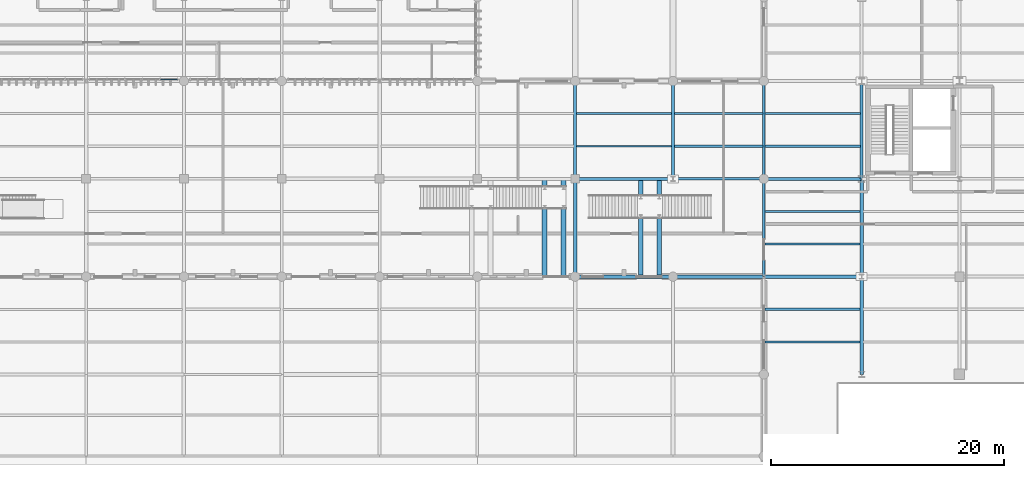
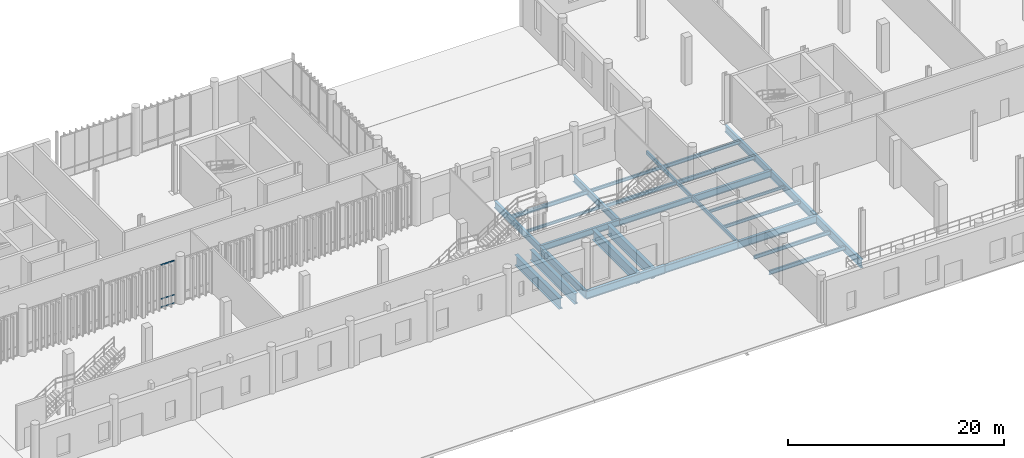
# One storey, part 43 of 112: 28 beams, 3 members, 1 element without a shape of its own.
"""IFC4 building model written with IfcOpenShell, lengths in metres."""

from ifc_helpers import new_model, si_unit, direction, frame, origin_with_axes, origin_2d_with_axis, place, context, subcontext, project, spatial, hollow_rectangle, i_section, extrude, material, material_profile, profile_set, type_object, element, aggregate, save


model = new_model("IFC4")

# Units and contexts
model_context = context("Model", 3, precision=1e-05, world=origin_with_axes(), true_north=direction((0.0, 1.0)))
body_context = subcontext(model_context, "Body", "Model", "MODEL_VIEW")
ifc_project = project(units=[si_unit("LENGTHUNIT", "METRE"), si_unit("AREAUNIT", "SQUARE_METRE"), si_unit("VOLUMEUNIT", "CUBIC_METRE"), si_unit("PLANEANGLEUNIT", "RADIAN"), si_unit("MASSUNIT", "GRAM", prefix="KILO"), si_unit("THERMODYNAMICTEMPERATUREUNIT", "KELVIN")], contexts=[model_context])

# Site, building, storey
site_placement = place(None, origin_with_axes())
site = spatial("IfcSite", under=ifc_project, at=site_placement, CompositionType="ELEMENT")
building_placement = place(site_placement, origin_with_axes())
building = spatial("IfcBuilding", under=site, at=building_placement, Name="Montbau Bow Law Courts", CompositionType="ELEMENT")
storey_placement = place(building_placement, origin_with_axes())
storey = spatial("IfcBuildingStorey", under=building, at=storey_placement, Name="L00", CompositionType="ELEMENT", Elevation=0.0)

# Beams
ifc_material_1 = material(Name="Steel CSA G40.21 Grade 350W (350 MPa)", Category="steel")
ifc_material_profile_1 = material_profile(ifc_material_1, i_section(OverallWidth=0.306, OverallDepth=0.919, WebThickness=0.0173, FlangeThickness=0.0279, at=origin_2d_with_axis()), Name="W920X253", Category="Main", Priority=0)
ifc_profile_set_1 = profile_set([ifc_material_profile_1], Name="Steel CSA G40.21 Grade 350W (350 MPa)")
beam_type_1 = type_object("IfcBeamType", Name="B-FLR-01", PredefinedType="BEAM", material=ifc_profile_set_1)
for number, where, z_axis, x_axis, name in (
    (1, (105.6, 22.2, -0.75), (1.0, 0.0, 0.0), (0.0, 1.0, 0.0), "BM-L00-S0167:bm2_0170"),
    (2, (130.2, 13.8, -0.8), (0.0, 1.0, 0.0), (-1.0, 0.0, 0.0), "BM-L00-S0366:bm2_0369"),
):
    element("IfcBeam", number, at=place(None, frame(where, z_axis=z_axis, x_axis=x_axis)), inside=storey, type_object=beam_type_1, Name=name, PredefinedType="BEAM", context=body_context, shape_type="SweptSolid", body=[
        extrude(i_section(OverallWidth=0.306, OverallDepth=0.919, WebThickness=0.0173, FlangeThickness=0.0279, at=origin_2d_with_axis()), origin_with_axes(), (0.0, 0.0, 1.0), 8.4),
    ])
ifc_material_profile_2 = material_profile(ifc_material_1, i_section(OverallWidth=0.293, OverallDepth=0.846, WebThickness=0.0154, FlangeThickness=0.0244, at=origin_2d_with_axis()), Name="W840X210", Category="Main", Priority=0)
ifc_profile_set_2 = profile_set([ifc_material_profile_2], Name="Steel CSA G40.21 Grade 350W (350 MPa)")
beam_type_2 = type_object("IfcBeamType", Name="B-FLR-02", PredefinedType="BEAM", material=ifc_profile_set_2)
beam_1_placement = place(None, frame((114.0, 22.2, -0.763), z_axis=(1.0, 0.0, 0.0), x_axis=(0.0, 1.0, 0.0)))
element("IfcBeam", 3, at=beam_1_placement, inside=storey, type_object=beam_type_2, Name="BM-L00-S0168:bm2_0171", PredefinedType="BEAM", context=body_context, shape_type="SweptSolid", body=[
    extrude(i_section(OverallWidth=0.293, OverallDepth=0.846, WebThickness=0.0154, FlangeThickness=0.0244, at=origin_2d_with_axis()), origin_with_axes(), (0.0, 0.0, 1.0), 7.8),
])
for number, where, z_axis, x_axis, name in (
    (4, (105.6, 22.2, -0.713), (0.0, 1.0, 0.0), (-1.0, 0.0, 0.0), "BM-L00-S0314:bm2_0317"),
    (5, (121.8, 22.2, -0.763), (1.0, 0.0, 0.0), (0.0, 1.0, 0.0), "BM-L00-S0330:bm2_0333"),
    (6, (130.2, 22.2, -0.763), (0.0, 1.0, 0.0), (-1.0, 0.0, 0.0), "BM-L00-S0367:bm2_0370"),
):
    element("IfcBeam", number, at=place(None, frame(where, z_axis=z_axis, x_axis=x_axis)), inside=storey, type_object=beam_type_2, Name=name, PredefinedType="BEAM", context=body_context, shape_type="SweptSolid", body=[
        extrude(i_section(OverallWidth=0.293, OverallDepth=0.846, WebThickness=0.0154, FlangeThickness=0.0244, at=origin_2d_with_axis()), origin_with_axes(), (0.0, 0.0, 1.0), 8.4),
    ])
ifc_material_profile_3 = material_profile(ifc_material_1, i_section(OverallWidth=0.267, OverallDepth=0.766, WebThickness=0.0149, FlangeThickness=0.0236, at=origin_2d_with_axis()), Name="W760X185", Category="Main", Priority=0)
ifc_profile_set_3 = profile_set([ifc_material_profile_3], Name="Steel CSA G40.21 Grade 350W (350 MPa)")
beam_type_3 = type_object("IfcBeamType", Name="B-FLR-03", PredefinedType="BEAM", material=ifc_profile_set_3)
for number, where, z_axis, x_axis, name in (
    (7, (105.6, 30.6, -0.673), (0.0, 1.0, 0.0), (-1.0, 0.0, 0.0), "BM-L00-S0315:bm2_0318"),
    (8, (114.0, 30.6, -0.673), (0.0, 1.0, 0.0), (-1.0, 0.0, 0.0), "BM-L00-S0320:bm2_0323"),
    (9, (121.8, 30.6, -0.723), (1.0, 0.0, 0.0), (0.0, 1.0, 0.0), "BM-L00-S0336:bm2_0339"),
    (10, (130.2, 30.6, -0.723), (0.0, 1.0, 0.0), (-1.0, 0.0, 0.0), "BM-L00-S0368:bm2_0371"),
):
    element("IfcBeam", number, at=place(None, frame(where, z_axis=z_axis, x_axis=x_axis)), inside=storey, type_object=beam_type_3, Name=name, PredefinedType="BEAM", context=body_context, shape_type="SweptSolid", body=[
        extrude(i_section(OverallWidth=0.267, OverallDepth=0.766, WebThickness=0.0149, FlangeThickness=0.0236, at=origin_2d_with_axis()), origin_with_axes(), (0.0, 0.0, 1.0), 8.4),
    ])
ifc_material_profile_4 = material_profile(ifc_material_1, i_section(OverallWidth=0.254, OverallDepth=0.688, WebThickness=0.0131, FlangeThickness=0.0211, at=origin_2d_with_axis()), Name="W690X152", Category="Main", Priority=0)
ifc_profile_set_4 = profile_set([ifc_material_profile_4], Name="Steel CSA G40.21 Grade 350W (350 MPa)")
beam_type_4 = type_object("IfcBeamType", Name="B-FLR-04", PredefinedType="BEAM", material=ifc_profile_set_4)
beam_2_placement = place(None, frame((105.6, 30.6, -0.584), z_axis=(1.0, 0.0, 0.0), x_axis=(0.0, 1.0, 0.0)))
element("IfcBeam", 11, at=beam_2_placement, inside=storey, type_object=beam_type_4, Name="BM-L00-S0181:bm2_0184", PredefinedType="BEAM", context=body_context, shape_type="SweptSolid", body=[
    extrude(i_section(OverallWidth=0.254, OverallDepth=0.688, WebThickness=0.0131, FlangeThickness=0.0211, at=origin_2d_with_axis()), origin_with_axes(), (0.0, 0.0, 1.0), 8.4),
])
ifc_material_profile_5 = material_profile(ifc_material_1, i_section(OverallWidth=0.229, OverallDepth=0.612, WebThickness=0.0119, FlangeThickness=0.0196, at=origin_2d_with_axis()), Name="W610X125", Category="Main", Priority=0)
ifc_profile_set_5 = profile_set([ifc_material_profile_5], Name="Steel CSA G40.21 Grade 350W (350 MPa)")
beam_type_5 = type_object("IfcBeamType", Name="B-FLR-05", PredefinedType="BEAM", material=ifc_profile_set_5)
beam_3_placement = place(None, frame((114.0, 30.6, -0.646), z_axis=(1.0, 0.0, 0.0), x_axis=(0.0, 1.0, 0.0)))
element("IfcBeam", 12, at=beam_3_placement, inside=storey, type_object=beam_type_5, Name="BM-L00-S0182:bm2_0185", PredefinedType="BEAM", context=body_context, shape_type="SweptSolid", body=[
    extrude(i_section(OverallWidth=0.229, OverallDepth=0.612, WebThickness=0.0119, FlangeThickness=0.0196, at=origin_2d_with_axis()), origin_with_axes(), (0.0, 0.0, 1.0), 7.8),
])
ifc_material_profile_6 = material_profile(ifc_material_1, i_section(OverallWidth=0.191, OverallDepth=0.46, WebThickness=0.0099, FlangeThickness=0.016, at=origin_2d_with_axis()), Name="W460X82", Category="Main", Priority=0)
ifc_profile_set_6 = profile_set([ifc_material_profile_6], Name="Steel CSA G40.21 Grade 350W (350 MPa)")
beam_type_6 = type_object("IfcBeamType", Name="B-JST-01", PredefinedType="JOIST", material=ifc_profile_set_6)
beam_4_placement = place(None, frame((105.709, 36.2, -0.52), z_axis=(1.0, 0.0, 0.0), x_axis=(0.0, 1.0, 0.0)))
element("IfcBeam", 13, at=beam_4_placement, inside=storey, type_object=beam_type_6, Name="JST-L00-S0108:jst2_0108", PredefinedType="JOIST", context=body_context, shape_type="SweptSolid", body=[
    extrude(i_section(OverallWidth=0.191, OverallDepth=0.46, WebThickness=0.0099, FlangeThickness=0.016, at=origin_2d_with_axis()), origin_with_axes(), (0.0, 0.0, 1.0), 8.182),
])
beam_5_placement = place(None, frame((121.88, 16.6, -0.57), z_axis=(1.0, 0.0, 0.0), x_axis=(0.0, 1.0, 0.0)))
element("IfcBeam", 14, at=beam_5_placement, inside=storey, type_object=beam_type_6, Name="JST-L00-S0116:jst2_0116", PredefinedType="JOIST", context=body_context, shape_type="SweptSolid", body=[
    extrude(i_section(OverallWidth=0.191, OverallDepth=0.46, WebThickness=0.0099, FlangeThickness=0.016, at=origin_2d_with_axis()), origin_with_axes(), (0.0, 0.0, 1.0), 8.191),
])
beam_6_placement = place(None, frame((121.88, 33.4, -0.57), z_axis=(1.0, 0.0, 0.0), x_axis=(0.0, 1.0, 0.0)))
element("IfcBeam", 15, at=beam_6_placement, inside=storey, type_object=beam_type_6, Name="JST-L00-S0120:jst2_0120", PredefinedType="JOIST", context=body_context, shape_type="SweptSolid", body=[
    extrude(i_section(OverallWidth=0.191, OverallDepth=0.46, WebThickness=0.0099, FlangeThickness=0.016, at=origin_2d_with_axis()), origin_with_axes(), (0.0, 0.0, 1.0), 8.21),
])
ifc_material_profile_7 = material_profile(ifc_material_1, i_section(OverallWidth=0.179, OverallDepth=0.41, WebThickness=0.0088, FlangeThickness=0.0144, at=origin_2d_with_axis()), Name="W410X67", Category="Main", Priority=0)
ifc_profile_set_7 = profile_set([ifc_material_profile_7], Name="Steel CSA G40.21 Grade 350W (350 MPa)")
beam_type_7 = type_object("IfcBeamType", Name="B-JST-02", PredefinedType="JOIST", material=ifc_profile_set_7)
beam_7_placement = place(None, frame((114.109, 33.4, -0.545), z_axis=(1.0, 0.0, 0.0), x_axis=(0.0, 1.0, 0.0)))
element("IfcBeam", 16, at=beam_7_placement, inside=storey, type_object=beam_type_7, Name="JST-L00-S0113:jst2_0113", PredefinedType="JOIST", context=body_context, shape_type="SweptSolid", body=[
    extrude(i_section(OverallWidth=0.179, OverallDepth=0.41, WebThickness=0.0088, FlangeThickness=0.0144, at=origin_2d_with_axis()), origin_with_axes(), (0.0, 0.0, 1.0), 7.611),
])
beam_8_placement = place(None, frame((121.88, 19.4, -0.545), z_axis=(1.0, 0.0, 0.0), x_axis=(0.0, 1.0, 0.0)))
element("IfcBeam", 17, at=beam_8_placement, inside=storey, type_object=beam_type_7, Name="JST-L00-S0117:jst2_0117", PredefinedType="JOIST", context=body_context, shape_type="SweptSolid", body=[
    extrude(i_section(OverallWidth=0.179, OverallDepth=0.41, WebThickness=0.0088, FlangeThickness=0.0144, at=origin_2d_with_axis()), origin_with_axes(), (0.0, 0.0, 1.0), 8.191),
])
beam_9_placement = place(None, frame((121.88, 36.2, -0.545), z_axis=(1.0, 0.0, 0.0), x_axis=(0.0, 1.0, 0.0)))
element("IfcBeam", 18, at=beam_9_placement, inside=storey, type_object=beam_type_7, Name="JST-L00-S0121:jst2_0121", PredefinedType="JOIST", context=body_context, shape_type="SweptSolid", body=[
    extrude(i_section(OverallWidth=0.179, OverallDepth=0.41, WebThickness=0.0088, FlangeThickness=0.0144, at=origin_2d_with_axis()), origin_with_axes(), (0.0, 0.0, 1.0), 8.21),
])
ifc_material_profile_8 = material_profile(ifc_material_1, i_section(OverallWidth=0.172, OverallDepth=0.358, WebThickness=0.0079, FlangeThickness=0.0131, at=origin_2d_with_axis()), Name="W360X57", Category="Main", Priority=0)
ifc_profile_set_8 = profile_set([ifc_material_profile_8], Name="Steel CSA G40.21 Grade 350W (350 MPa)")
beam_type_8 = type_object("IfcBeamType", Name="B-JST-03", PredefinedType="JOIST", material=ifc_profile_set_8)
beam_10_placement = place(None, frame((114.109, 36.2, -0.519), z_axis=(1.0, 0.0, 0.0), x_axis=(0.0, 1.0, 0.0)))
element("IfcBeam", 19, at=beam_10_placement, inside=storey, type_object=beam_type_8, Name="JST-L00-S0114:jst2_0114", PredefinedType="JOIST", context=body_context, shape_type="SweptSolid", body=[
    extrude(i_section(OverallWidth=0.172, OverallDepth=0.358, WebThickness=0.0079, FlangeThickness=0.0131, at=origin_2d_with_axis()), origin_with_axes(), (0.0, 0.0, 1.0), 7.611),
])
beam_11_placement = place(None, frame((121.88, 25.0, -0.519), z_axis=(1.0, 0.0, 0.0), x_axis=(0.0, 1.0, 0.0)))
element("IfcBeam", 20, at=beam_11_placement, inside=storey, type_object=beam_type_8, Name="JST-L00-S0118:jst2_0118", PredefinedType="JOIST", context=body_context, shape_type="SweptSolid", body=[
    extrude(i_section(OverallWidth=0.172, OverallDepth=0.358, WebThickness=0.0079, FlangeThickness=0.0131, at=origin_2d_with_axis()), origin_with_axes(), (0.0, 0.0, 1.0), 8.197),
])
ifc_material_profile_9 = material_profile(ifc_material_1, i_section(OverallWidth=0.166, OverallDepth=0.313, WebThickness=0.0066, FlangeThickness=0.0112, at=origin_2d_with_axis()), Name="W310X45", Category="Main", Priority=0)
ifc_profile_set_9 = profile_set([ifc_material_profile_9], Name="Steel CSA G40.21 Grade 350W (350 MPa)")
beam_type_9 = type_object("IfcBeamType", Name="B-JST-04", PredefinedType="JOIST", material=ifc_profile_set_9)
beam_12_placement = place(None, frame((105.709, 33.4, -0.447), z_axis=(1.0, 0.0, 0.0), x_axis=(0.0, 1.0, 0.0)))
element("IfcBeam", 21, at=beam_12_placement, inside=storey, type_object=beam_type_9, Name="JST-L00-S0107:jst2_0107", PredefinedType="JOIST", context=body_context, shape_type="SweptSolid", body=[
    extrude(i_section(OverallWidth=0.166, OverallDepth=0.313, WebThickness=0.0066, FlangeThickness=0.0112, at=origin_2d_with_axis()), origin_with_axes(), (0.0, 0.0, 1.0), 8.182),
])
beam_13_placement = place(None, frame((121.88, 27.8, -0.497), z_axis=(1.0, 0.0, 0.0), x_axis=(0.0, 1.0, 0.0)))
element("IfcBeam", 22, at=beam_13_placement, inside=storey, type_object=beam_type_9, Name="JST-L00-S0119:jst2_0119", PredefinedType="JOIST", context=body_context, shape_type="SweptSolid", body=[
    extrude(i_section(OverallWidth=0.166, OverallDepth=0.313, WebThickness=0.0066, FlangeThickness=0.0112, at=origin_2d_with_axis()), origin_with_axes(), (0.0, 0.0, 1.0), 8.197),
])
ifc_material_2 = material(Name="Steel CSA G40.21 Grade 350WT (350 MPa)", Category="steel")
ifc_material_profile_10 = material_profile(ifc_material_2, hollow_rectangle(XDim=0.203, YDim=0.406, WallThickness=0.0127, InnerFilletRadius=0.0254, OuterFilletRadius=0.0127, at=origin_2d_with_axis()), Name="HSS406X203X13", Category="Main", Priority=0)
ifc_profile_set_10 = profile_set([ifc_material_profile_10], Name="Steel CSA G40.21 Grade 350WT (350 MPa)")
beam_type_10 = type_object("IfcBeamType", Name="B-SPN-01", PredefinedType="SPANDREL", material=ifc_profile_set_10)
for number, where, z_axis, x_axis, name in (
    (23, (121.8, 22.2, -0.543), (0.0, 1.0, 0.0), (-1.0, 0.0, 0.0), "SPN-L00-S0325:bm2_0328"),
    (24, (121.8, 30.6, -0.543), (0.0, 1.0, 0.0), (-1.0, 0.0, 0.0), "SPN-L00-S0326:bm2_0329"),
):
    element("IfcBeam", number, at=place(None, frame(where, z_axis=z_axis, x_axis=x_axis)), inside=storey, type_object=beam_type_10, Name=name, PredefinedType="SPANDREL", context=body_context, shape_type="SweptSolid", body=[
        extrude(hollow_rectangle(XDim=0.203, YDim=0.406, WallThickness=0.0127, InnerFilletRadius=0.0254, OuterFilletRadius=0.0127, at=origin_2d_with_axis()), origin_with_axes(), (0.0, 0.0, 1.0), 8.4),
    ])
ifc_material_profile_11 = material_profile(ifc_material_1, i_section(OverallWidth=0.4, OverallDepth=1.2, WebThickness=0.016, FlangeThickness=0.035, at=origin_2d_with_axis()), Name="WWF1200X302", Category="Main", Priority=0)
ifc_profile_set_11 = profile_set([ifc_material_profile_11], Name="Steel CSA G40.21 Grade 350W (350 MPa)")
beam_type_11 = type_object("IfcBeamType", Name="B-TRG-05", PredefinedType="USERDEFINED", material=ifc_profile_set_11)
for number, where, z_axis, x_axis, name in (
    (25, (111.22, 22.275, -0.89), (0.0, 1.0, 0.0), (-1.0, 0.0, 0.0), "TRG-L00-S1796:bm2_1799"),
    (26, (112.83, 22.275, -0.89), (0.0, 1.0, 0.0), (-1.0, 0.0, 0.0), "TRG-L00-S1797:bm2_1800"),
    (27, (102.97, 22.275, -0.89), (0.0, 1.0, 0.0), (-1.0, 0.0, 0.0), "TRG-L00-S1800:bm2_1803"),
    (28, (104.6, 22.275, -0.89), (0.0, 1.0, 0.0), (-1.0, 0.0, 0.0), "TRG-L00-S1801:bm2_1804"),
):
    element("IfcBeam", number, at=place(None, frame(where, z_axis=z_axis, x_axis=x_axis)), inside=storey, type_object=beam_type_11, Name=name, ObjectType="GIRDER", PredefinedType="USERDEFINED", context=body_context, shape_type="SweptSolid", body=[
        extrude(i_section(OverallWidth=0.4, OverallDepth=1.2, WebThickness=0.016, FlangeThickness=0.035, at=origin_2d_with_axis()), origin_with_axes(), (0.0, 0.0, 1.0), 8.25),
    ])

# Curtain wall, members
ifc_material_3 = material(Name="Thermally Broken Extruded Aluminium AA 6063-T6", Category="aluminium")
curtain_wall_type = type_object("IfcCurtainWallType", Name="CW-CRM-01", PredefinedType="NOTDEFINED", material=ifc_material_3)
curtain_wall_placement = place(None, frame((63.868, 39.14, 0.0), z_axis=(0.0, 0.0, 1.0), x_axis=(1.0, 0.0, 0.0)))
curtain_wall = element("IfcCurtainWall", 29, at=curtain_wall_placement, inside=storey, type_object=curtain_wall_type, Name="CW-L00-125:cw_0125", PredefinedType="NOTDEFINED")
ifc_material_profile_12 = material_profile(ifc_material_3, hollow_rectangle(XDim=0.055, YDim=0.14, WallThickness=0.004, InnerFilletRadius=0.008, OuterFilletRadius=0.004, at=origin_2d_with_axis()), Name="CWT-140X55", Category="Main", Priority=0)
ifc_profile_set_12 = profile_set([ifc_material_profile_12], Name="Thermally Broken Extruded Aluminium AA 6063-T6")
member_type = type_object("IfcMemberType", Name="M-TRN-02", PredefinedType="USERDEFINED", material=ifc_profile_set_12)
member_1_placement = place(None, frame((69.994, 39.14, 0.028), z_axis=(1.0, 0.0, 0.0), x_axis=(0.0, 1.0, 0.0)))
member_1 = element("IfcMember", 30, at=member_1_placement, type_object=member_type, Name="CW-L00-125-T05-1:cw_0125_T05_1", ObjectType="TRANSOM", PredefinedType="USERDEFINED", context=body_context, shape_type="SweptSolid", body=[
    extrude(hollow_rectangle(XDim=0.055, YDim=0.14, WallThickness=0.004, InnerFilletRadius=0.008, OuterFilletRadius=0.004, at=origin_2d_with_axis()), origin_with_axes(), (0.0, 0.0, 1.0), 1.429),
])
member_2_placement = place(None, frame((69.994, 39.14, 0.95), z_axis=(1.0, 0.0, 0.0), x_axis=(0.0, 1.0, 0.0)))
member_2 = element("IfcMember", 31, at=member_2_placement, type_object=member_type, Name="CW-L00-125-T05-2:cw_0125_T05_2", ObjectType="TRANSOM", PredefinedType="USERDEFINED", context=body_context, shape_type="SweptSolid", body=[
    extrude(hollow_rectangle(XDim=0.055, YDim=0.14, WallThickness=0.004, InnerFilletRadius=0.008, OuterFilletRadius=0.004, at=origin_2d_with_axis()), origin_with_axes(), (0.0, 0.0, 1.0), 1.429),
])
member_3_placement = place(None, frame((69.994, 39.14, 4.793), z_axis=(1.0, 0.0, 0.0), x_axis=(0.0, 1.0, 0.0)))
member_3 = element("IfcMember", 32, at=member_3_placement, type_object=member_type, Name="CW-L00-125-T05-3:cw_0125_T05_3", ObjectType="TRANSOM", PredefinedType="USERDEFINED", context=body_context, shape_type="SweptSolid", body=[
    extrude(hollow_rectangle(XDim=0.055, YDim=0.14, WallThickness=0.004, InnerFilletRadius=0.008, OuterFilletRadius=0.004, at=origin_2d_with_axis()), origin_with_axes(), (0.0, 0.0, 1.0), 1.429),
])
aggregate(curtain_wall, [member_1, member_2, member_3])

save(model, "model.ifc")
